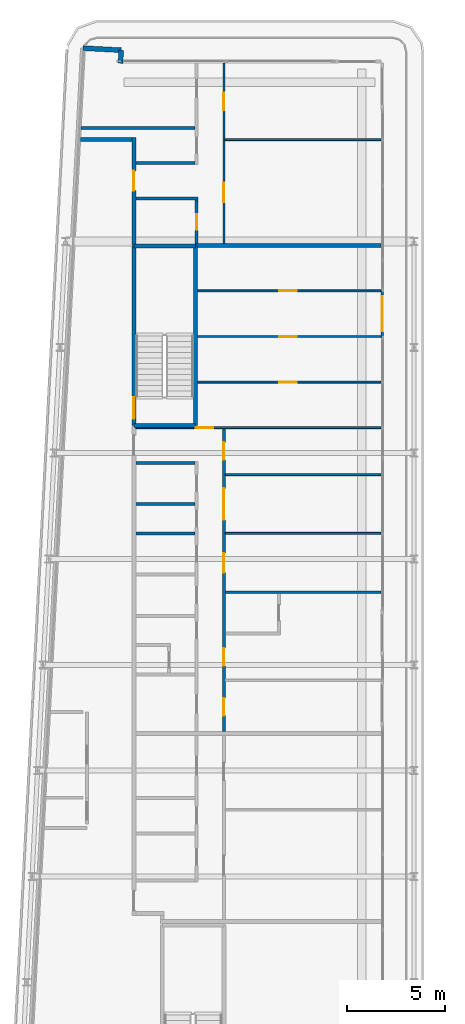
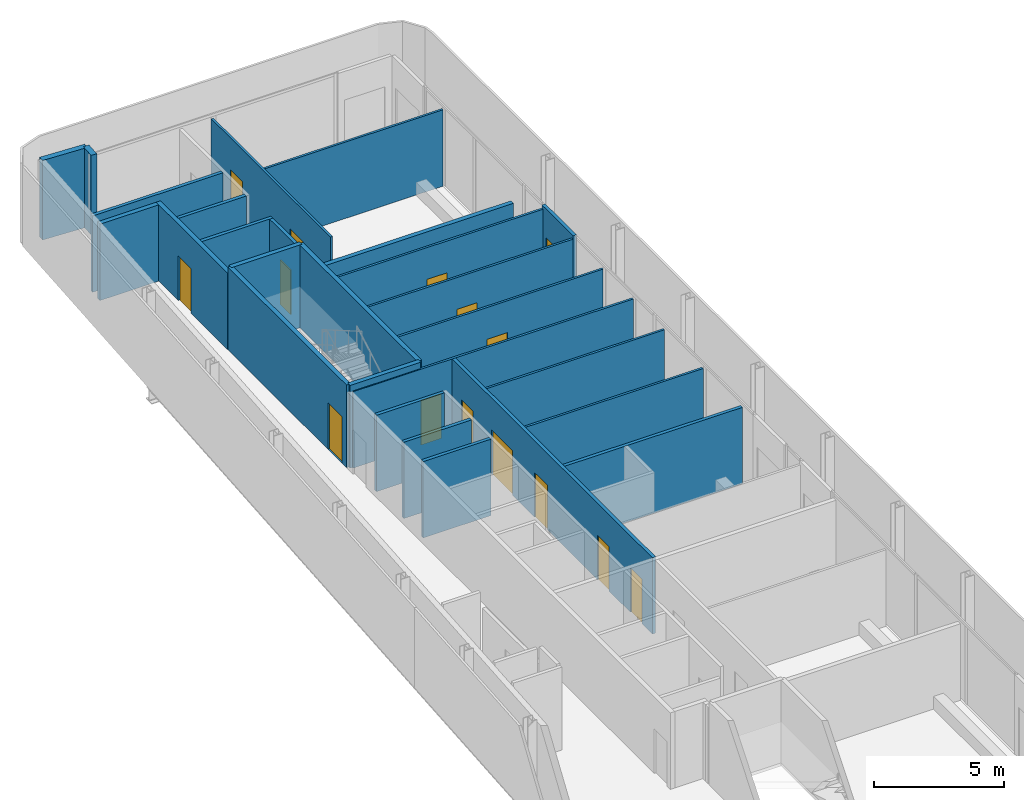
# One storey, part 14 of 22: 27 walls, 15 doors, 15 openings.
"""IFC4 building model written with IfcOpenShell, lengths in metres."""

import ifcopenshell
import ifcopenshell.guid

model = None  # the IFC model being written
_history = None  # IfcOwnerHistory: only IFC2X3 demands one
_inside = {}  # id of a spatial element -> (the spatial element, [elements in it])
_under = {}  # id of a project, library or spatial element -> (it, [spatial elements below it])
_declared = {}  # id of a project -> (the project, [libraries it declares])
_typed = {}  # id of a type object -> (the type object, [elements of that type])
_made_of = {}  # id of a material, layer set ... -> (it, [elements and type objects made of it])


def new_model(schema):
    """Start an empty IFC model of exactly this schema.

    Asked for "IFC4X3", IfcOpenShell would pick the latest addendum, in which some entities
    have other attributes; the version numbers below select the first issue.
    IFC2X3 requires an IfcOwnerHistory on every rooted entity: one is made here for all.
    """
    global model, _history
    if schema == "IFC4X3":
        model = ifcopenshell.file(schema_version=(4, 3, 0, 0))
    else:
        model = ifcopenshell.file(schema=schema)
    _inside.clear()
    _under.clear()
    _declared.clear()
    _typed.clear()
    _made_of.clear()
    _history = None
    if model.schema == "IFC2X3":
        org = make("IfcOrganization", Name="unknown")
        user = make(
            "IfcPersonAndOrganization",
            ThePerson=make("IfcPerson", FamilyName="unknown"),
            TheOrganization=org,
        )
        app = make(
            "IfcApplication",
            ApplicationDeveloper=org,
            Version="unknown",
            ApplicationFullName="unknown",
            ApplicationIdentifier="unknown",
        )
        _history = make(
            "IfcOwnerHistory",
            OwningUser=user,
            OwningApplication=app,
            ChangeAction="ADDED",
            CreationDate=0,
        )
    return model


def make(cls, **values):
    """One entity of the class cls with the attributes given. An attribute that is None is left unset."""
    return model.create_entity(
        cls, **{name: value for name, value in values.items() if value is not None}
    )


def rooted(cls, **values):
    """An entity with a GlobalId (a new one), such as an element, a storey or a relation."""
    return make(cls, GlobalId=ifcopenshell.guid.new(), OwnerHistory=_history, **values)


def si_unit(unit_type, name, prefix=None):
    """IfcSIUnit, for example si_unit("LENGTHUNIT", "METRE", prefix="MILLI")."""
    return make("IfcSIUnit", UnitType=unit_type, Prefix=prefix, Name=name)


def assignment(units):
    """IfcUnitAssignment: the units of a project."""
    return None if units is None else make("IfcUnitAssignment", Units=units)


def point(xyz):
    """IfcCartesianPoint."""
    return None if xyz is None else make("IfcCartesianPoint", Coordinates=xyz)


def direction(xyz):
    """IfcDirection."""
    return None if xyz is None else make("IfcDirection", DirectionRatios=xyz)


def frame(location, z_axis=None, x_axis=None):
    """IfcAxis2Placement3D, a coordinate frame: its origin and axes. An axis left out is left unset."""
    return make(
        "IfcAxis2Placement3D",
        Location=point(location),
        Axis=direction(z_axis),
        RefDirection=direction(x_axis),
    )


def frame_2d(location, x_axis=None):
    """IfcAxis2Placement2D, a coordinate frame in the plane: its origin and x axis."""
    return make(
        "IfcAxis2Placement2D", Location=point(location), RefDirection=direction(x_axis)
    )


def origin():
    """The frame at (0, 0, 0) with its axes left unset."""
    return frame((0.0, 0.0, 0.0))


def place(relative_to, where):
    """IfcLocalPlacement: puts the frame where relative to a parent placement (None: the world)."""
    return make(
        "IfcLocalPlacement", PlacementRelTo=relative_to, RelativePlacement=where
    )


def context(
    kind, dimensions, precision=None, world=None, true_north=None, identifier=None
):
    """IfcGeometricRepresentationContext, for example the 3D "Model" context."""
    return make(
        "IfcGeometricRepresentationContext",
        ContextIdentifier=identifier,
        ContextType=kind,
        CoordinateSpaceDimension=dimensions,
        Precision=precision,
        WorldCoordinateSystem=world,
        TrueNorth=true_north,
    )


def subcontext(parent, identifier, kind, view, scale=None):
    """IfcGeometricRepresentationSubContext, for example "Body" below "Model"."""
    return make(
        "IfcGeometricRepresentationSubContext",
        ContextIdentifier=identifier,
        ContextType=kind,
        ParentContext=parent,
        TargetScale=scale,
        TargetView=view,
    )


def project(units=None, contexts=None):
    """IfcProject with its units and contexts."""
    return rooted(
        "IfcProject",
        Name="project",
        RepresentationContexts=contexts,
        UnitsInContext=assignment(units),
    )


def spatial(cls, under=None, at=None, **own):
    """A site, building, storey or space (cls), placed at a placement, below another one or the project."""
    s = rooted(cls, ObjectPlacement=at, **own)
    if under is not None:
        _under.setdefault(under.id(), (under, []))[1].append(s)
    return s


def profile(cls, at=None, kind="AREA", **sizes):
    """A parametric profile (cls). Its sizes go by their IFC names, for example OverallWidth=200.0."""
    return make(cls, ProfileType=kind, Position=at, **sizes)


def rectangle(**sizes):
    """IfcRectangleProfileDef."""
    return profile("IfcRectangleProfileDef", **sizes)


def extrude(swept, where, along, depth):
    """IfcExtrudedAreaSolid: the profile swept, set in the frame where, extruded along a direction by depth."""
    return make(
        "IfcExtrudedAreaSolid",
        SweptArea=swept,
        Position=where,
        ExtrudedDirection=direction(along),
        Depth=depth,
    )


def shape(context_of_items, identifier, shape_type, items):
    """IfcShapeRepresentation: the items that make up one representation, for example the "Body"."""
    return make(
        "IfcShapeRepresentation",
        ContextOfItems=context_of_items,
        RepresentationIdentifier=identifier,
        RepresentationType=shape_type,
        Items=items,
    )


def source(mapping_origin, context_of_items, identifier, shape_type, items):
    """IfcRepresentationMap: a shape defined once, which mapped items show again and again."""
    return make(
        "IfcRepresentationMap",
        MappingOrigin=mapping_origin,
        MappedRepresentation=shape(context_of_items, identifier, shape_type, items),
    )


def transform(
    local_origin,
    x_axis=None,
    y_axis=None,
    z_axis=None,
    scale=None,
    scale2=None,
    scale3=None,
    uniform=True,
):
    """IfcCartesianTransformationOperator3D, or its non-uniform kind. x_axis, y_axis, z_axis: its Axis1, 2, 3."""
    if uniform:
        return make(
            "IfcCartesianTransformationOperator3D",
            Axis1=direction(x_axis),
            Axis2=direction(y_axis),
            LocalOrigin=point(local_origin),
            Scale=scale,
            Axis3=direction(z_axis),
        )
    return make(
        "IfcCartesianTransformationOperator3DnonUniform",
        Axis1=direction(x_axis),
        Axis2=direction(y_axis),
        LocalOrigin=point(local_origin),
        Scale=scale,
        Axis3=direction(z_axis),
        Scale2=scale2,
        Scale3=scale3,
    )


def mapped(mapping_source, mapping_target):
    """IfcMappedItem: shows the shape of a source again, moved by a transform."""
    return make(
        "IfcMappedItem", MappingSource=mapping_source, MappingTarget=mapping_target
    )


def material(Name=None, Category=None):
    """IfcMaterial."""
    return make("IfcMaterial", Name=Name, Category=Category)


def layer(
    of_material, thickness, ventilated=None, Name=None, Category=None, Priority=None
):
    """IfcMaterialLayer: one layer of a wall or slab, of a material (None: an air gap)."""
    return make(
        "IfcMaterialLayer",
        Material=of_material,
        LayerThickness=thickness,
        IsVentilated=ventilated,
        Name=Name,
        Category=Category,
        Priority=Priority,
    )


def layer_set(layers, Name=None):
    """IfcMaterialLayerSet."""
    return make("IfcMaterialLayerSet", MaterialLayers=layers, LayerSetName=Name)


def made_of(thing, what):
    """Note that an element or type object is made of a material, layer set ...; save() writes the relation."""
    if what is not None:
        _made_of.setdefault(what.id(), (what, []))[1].append(thing)
    return thing


def type_object(cls, material=None, **own):
    """A type object (cls), such as IfcWallType, which elements share."""
    return made_of(rooted(cls, **own), material)


def element(
    cls,
    number,
    at=None,
    inside=None,
    cuts=None,
    type_object=None,
    material=None,
    context=None,
    identifier="Body",
    shape_type=None,
    held_by="IfcProductDefinitionShape",
    body=None,
    shapes=None,
    **own,
):
    """One element of the class cls, such as IfcWall. Its Tag is "e" and its number.

    at: its placement. inside: the storey or other place that contains it. cuts: it is an
    opening in that element (IfcRelVoidsElement). A single representation is given by context,
    identifier, shape_type and body (its items); several are given by shapes. held_by: the class
    of the entity that holds the representations. save() writes the other relations.
    """
    e = rooted(cls, Tag="e%d" % number, ObjectPlacement=at, **own)
    if body is not None:
        shapes = [shape(context, identifier, shape_type, body)]
    if shapes is not None:
        e.Representation = make(held_by, Representations=shapes)
    if inside is not None:
        _inside.setdefault(inside.id(), (inside, []))[1].append(e)
    if cuts is not None:
        rooted(
            "IfcRelVoidsElement", RelatingBuildingElement=cuts, RelatedOpeningElement=e
        )
    if type_object is not None:
        _typed.setdefault(type_object.id(), (type_object, []))[1].append(e)
    return made_of(e, material)


def fill(opening, filler):
    """IfcRelFillsElement: the door or window that sits in an opening."""
    return rooted(
        "IfcRelFillsElement",
        RelatingOpeningElement=opening,
        RelatedBuildingElement=filler,
    )


def aggregate(whole, parts):
    """IfcRelAggregates: a whole, such as a stair, and the parts it consists of."""
    return rooted("IfcRelAggregates", RelatingObject=whole, RelatedObjects=parts)


def save(model, path):
    """Write the relations noted so far, then the file.

    IfcRelAggregates (storeys below a building ...), IfcRelContainedInSpatialStructure (elements
    in a storey), IfcRelDefinesByType, IfcRelAssociatesMaterial and IfcRelDeclares: one each for
    every whole, place, type object, material and project.
    """
    for whole, parts in _under.values():
        aggregate(whole, parts)
    for where, things in _inside.values():
        rooted(
            "IfcRelContainedInSpatialStructure",
            RelatedElements=things,
            RelatingStructure=where,
        )
    for kind, things in _typed.values():
        rooted("IfcRelDefinesByType", RelatedObjects=things, RelatingType=kind)
    for what, things in _made_of.values():
        rooted("IfcRelAssociatesMaterial", RelatedObjects=things, RelatingMaterial=what)
    for by, libraries in _declared.values():
        rooted("IfcRelDeclares", RelatingContext=by, RelatedDefinitions=libraries)
    model.write(path)


model = new_model("IFC4")

# Units and contexts
model_context = context("Model", 3, precision=1e-05, world=origin(), true_north=direction((0.0, 1.0)))
body_context = subcontext(model_context, "Body", "Model", "MODEL_VIEW")
ifc_project = project(units=[si_unit("LENGTHUNIT", "METRE"), si_unit("AREAUNIT", "SQUARE_METRE"), si_unit("VOLUMEUNIT", "CUBIC_METRE"), si_unit("PLANEANGLEUNIT", "RADIAN"), si_unit("MASSUNIT", "GRAM", prefix="KILO")], contexts=[model_context])

# Site, building, storey
site_placement = place(None, origin())
site = spatial("IfcSite", under=ifc_project, at=site_placement, CompositionType="ELEMENT")
building_placement = place(site_placement, origin())
building = spatial("IfcBuilding", under=site, at=building_placement, Name="Kheshtan School and Residences Tower", CompositionType="ELEMENT")
storey_placement = place(building_placement, frame((0.0, 0.0, 274.699951171875)))
storey = spatial("IfcBuildingStorey", under=building, at=storey_placement, Name="L64", CompositionType="ELEMENT", Elevation=274.699951171875)

# Wall
ifc_material_1 = material(Name="Gypsum board on steel studs with fire boards", Category="steel")
ifc_layer_1 = layer(ifc_material_1, 0.199951171875)
ifc_layer_set_1 = layer_set([ifc_layer_1], Name="Corridor wall 200")
wall_type_1 = type_object("IfcWallType", Name="Corridor wall 200", PredefinedType="PARTITIONING", material=ifc_layer_set_1)
wall_1_placement = place(storey_placement, frame((30.584716796875, 94.0, 0.0), z_axis=(0.0, 0.0, 1.0), x_axis=(1.0, 0.0, 0.0)))
element("IfcWall", 1, at=wall_1_placement, inside=storey, type_object=wall_type_1, Name="Partition L64-002", PredefinedType="PARTITIONING", context=body_context, shape_type="SweptSolid", body=[
    extrude(rectangle(XDim=2.615234375, YDim=0.199951171875, at=frame_2d((1.3076171875, 0.0))), origin(), (0.0, 0.0, 1.0), 3.60009765625),
])

# Wall, opening, door
wall_2_placement = place(storey_placement, frame((33.300048828125, 88.60009765625, 0.0), z_axis=(0.0, 0.0, 1.0), x_axis=(0.0, 1.0, 0.0)))
wall_2 = element("IfcWall", 2, at=wall_2_placement, inside=storey, type_object=wall_type_1, Name="Partition L64-004", PredefinedType="PARTITIONING", context=body_context, shape_type="SweptSolid", body=[
    extrude(rectangle(XDim=5.5, YDim=0.199951171875, at=frame_2d((2.75, 0.0))), origin(), (0.0, 0.0, 1.0), 3.60009765625),
])
opening_1_placement = place(wall_2_placement, frame((2.800048828125, 0.0, 0.0)))
opening_1 = element("IfcOpeningElement", 3, at=opening_1_placement, cuts=wall_2, Name="Opening D64-027", PredefinedType="OPENING", context=body_context, shape_type="SweptSolid", body=[
    extrude(rectangle(XDim=1.0, YDim=2.10009765625, at=frame_2d((0.5, 1.050048828125))), frame((0.0, 0.10986328125, 0.0), z_axis=(0.0, -1.0, 0.0), x_axis=(1.0, 0.0, 0.0)), (0.0, 0.0, 1.0), 0.219970703125),
])
ifc_material_2 = material(Name="Steel-framed fire-resisting door leaf", Category="steel")
door_type_1 = type_object("IfcDoorType", Name="Fire door FD30S 1000 x 2100", OperationType="SINGLE_SWING_LEFT", PredefinedType="DOOR", material=ifc_material_2)
shared_shape_1 = source(origin(), body_context, "Body", "SweptSolid", [
    extrude(rectangle(XDim=1.0, YDim=2.10009765625, at=frame_2d((0.5, 1.050048828125))), frame((0.0, 0.02490234375, 0.0), z_axis=(0.0, -1.0, 0.0), x_axis=(1.0, 0.0, 0.0)), (0.0, 0.0, 1.0), 0.050048828125),
])
door_1_placement = place(opening_1_placement, origin())
door_1 = element("IfcDoor", 4, at=door_1_placement, inside=storey, type_object=door_type_1, Name="Door D64-027", OperationType="SINGLE_SWING_LEFT", OverallHeight=2.10009765625, OverallWidth=1.0, PredefinedType="DOOR", context=body_context, shape_type="MappedRepresentation", body=[
    mapped(shared_shape_1, transform((0.0, 0.0, 0.0), x_axis=(1.0, 0.0, 0.0), y_axis=(0.0, 1.0, 0.0), z_axis=(0.0, 0.0, 1.0), scale=1.0)),
])
fill(opening_1, door_1)

# Walls
ifc_material_3 = material(Name="Concrete C40/50 with ceramic cladding and mineral wool insulation", Category="concrete")
ifc_layer_2 = layer(ifc_material_3, 0.25)
ifc_layer_set_2 = layer_set([ifc_layer_2], Name="External wall 250 ceramic clad")
wall_type_2 = type_object("IfcWallType", Name="External wall 250 ceramic clad", PredefinedType="SOLIDWALL", material=ifc_layer_set_2)
wall_3_placement = place(storey_placement, frame((30.705078125, 98.6640625, 0.0), z_axis=(0.0, 0.0, 1.0), x_axis=(0.998577785791, -0.053314216913, 0.0)))
element("IfcWall", 5, at=wall_3_placement, inside=storey, type_object=wall_type_2, Name="External wall L64 5", PredefinedType="SOLIDWALL", context=body_context, shape_type="SweptSolid", body=[
    extrude(rectangle(XDim=1.95068359375, YDim=0.25, at=frame_2d((0.975341796875, 0.0))), origin(), (0.0, 0.0, 1.0), 3.75),
])
wall_4_placement = place(storey_placement, frame((32.653076171875, 98.56005859375, 0.0), z_axis=(0.0, 0.0, 1.0), x_axis=(-0.054093451632, -0.998535877418, 0.0)))
element("IfcWall", 6, at=wall_4_placement, inside=storey, type_object=wall_type_2, Name="External wall L64 6", PredefinedType="SOLIDWALL", context=body_context, shape_type="SweptSolid", body=[
    extrude(rectangle(XDim=0.66796875, YDim=0.25, at=frame_2d((0.333984375, 0.0))), origin(), (0.0, 0.0, 1.0), 3.75),
])

# Wall, opening, door
ifc_material_4 = material(Name="Aluminium frame wall with insulated infill", Category="aluminium")
ifc_layer_3 = layer(ifc_material_4, 0.14990234375)
ifc_layer_set_3 = layer_set([ifc_layer_3], Name="Glazing frame wall 150")
wall_type_3 = type_object("IfcWallType", Name="Glazing frame wall 150", PredefinedType="SOLIDWALL", material=ifc_layer_set_3)
wall_5_placement = place(storey_placement, frame((45.97509765625, 86.305908203125, 0.0), z_axis=(0.0, 0.0, 1.0), x_axis=(0.0, -1.0, 0.0)))
wall_5 = element("IfcWall", 7, at=wall_5_placement, inside=storey, type_object=wall_type_3, Name="Balcony door wall L64 8.2", PredefinedType="SOLIDWALL", context=body_context, shape_type="SweptSolid", body=[
    extrude(rectangle(XDim=2.39990234375, YDim=0.14990234375, at=frame_2d((1.199951171875, 0.0))), origin(), (0.0, 0.0, 1.0), 3.75),
])
opening_2_placement = place(wall_5_placement, frame((0.300048828125, 0.0, 0.0)))
opening_2 = element("IfcOpeningElement", 8, at=opening_2_placement, cuts=wall_5, Name="Opening BD", PredefinedType="OPENING", context=body_context, shape_type="SweptSolid", body=[
    extrude(rectangle(XDim=1.800048828125, YDim=2.39990234375, at=frame_2d((0.89990234375, 1.199951171875))), frame((0.0, 0.0849609375, 0.0), z_axis=(0.0, -1.0, 0.0), x_axis=(1.0, 0.0, 0.0)), (0.0, 0.0, 1.0), 0.169921875),
])
ifc_material_5 = material(Name="Clear low-e glass in thermally broken aluminium frame", Category="aluminium")
door_type_2 = type_object("IfcDoorType", Name="Balcony sliding door", OperationType="SLIDING_TO_LEFT", PredefinedType="DOOR", material=ifc_material_5)
shared_shape_2 = source(origin(), body_context, "Body", "SweptSolid", [
    extrude(rectangle(XDim=1.800048828125, YDim=2.39990234375, at=frame_2d((0.89990234375, 1.199951171875))), frame((0.0, 0.02490234375, 0.0), z_axis=(0.0, -1.0, 0.0), x_axis=(1.0, 0.0, 0.0)), (0.0, 0.0, 1.0), 0.050048828125),
])
door_2_placement = place(opening_2_placement, origin())
door_2 = element("IfcDoor", 9, at=door_2_placement, inside=storey, type_object=door_type_2, Name="Balcony door L64 8.2", OperationType="SLIDING_TO_LEFT", OverallHeight=2.39990234375, OverallWidth=1.800048828125, PredefinedType="DOOR", context=body_context, shape_type="MappedRepresentation", body=[
    mapped(shared_shape_2, transform((0.0, 0.0, 0.0), x_axis=(1.0, 0.0, 0.0), y_axis=(0.0, 1.0, 0.0), z_axis=(0.0, 0.0, 1.0), scale=1.0)),
])
fill(opening_2, door_2)

ifc_material_6 = material(Name="Gypsum board on steel studs", Category="steel")
ifc_layer_4 = layer(ifc_material_6, 0.10009765625)
ifc_layer_set_4 = layer_set([ifc_layer_4], Name="Gypsum partition 100")
wall_type_4 = type_object("IfcWallType", Name="Gypsum partition 100", PredefinedType="PARTITIONING", material=ifc_layer_set_4)
wall_6_placement = place(storey_placement, frame((33.39990234375, 79.300048828125, 0.0), z_axis=(0.0, 0.0, 1.0), x_axis=(1.0, 0.0, 0.0)))
wall_6 = element("IfcWall", 10, at=wall_6_placement, inside=storey, type_object=wall_type_4, Name="Partition L64-017", PredefinedType="PARTITIONING", context=body_context, shape_type="SweptSolid", body=[
    extrude(rectangle(XDim=12.5, YDim=0.10009765625, at=frame_2d((6.25, 0.0))), origin(), (0.0, 0.0, 1.0), 3.60009765625),
])
opening_3_placement = place(wall_6_placement, frame((3.052978515625, 0.0, 0.0)))
opening_3 = element("IfcOpeningElement", 11, at=opening_3_placement, cuts=wall_6, Name="Opening D64-021", PredefinedType="OPENING", context=body_context, shape_type="SweptSolid", body=[
    extrude(rectangle(XDim=0.89990234375, YDim=2.10009765625, at=frame_2d((0.449951171875, 1.050048828125))), frame((0.0, 0.06005859375, 0.0), z_axis=(0.0, -1.0, 0.0), x_axis=(1.0, 0.0, 0.0)), (0.0, 0.0, 1.0), 0.1201171875),
])
ifc_material_7 = material(Name="Veneered timber door leaf", Category="wood")
door_type_3 = type_object("IfcDoorType", Name="Door 900 x 2100", OperationType="SINGLE_SWING_LEFT", PredefinedType="DOOR", material=ifc_material_7)
shared_shape_3 = source(origin(), body_context, "Body", "SweptSolid", [
    extrude(rectangle(XDim=0.89990234375, YDim=2.10009765625, at=frame_2d((0.449951171875, 1.050048828125))), frame((0.0, 0.02490234375, 0.0), z_axis=(0.0, -1.0, 0.0), x_axis=(1.0, 0.0, 0.0)), (0.0, 0.0, 1.0), 0.050048828125),
])
door_3_placement = place(opening_3_placement, origin())
door_3 = element("IfcDoor", 12, at=door_3_placement, inside=storey, type_object=door_type_3, Name="Door D64-021", OperationType="SINGLE_SWING_LEFT", OverallHeight=2.10009765625, OverallWidth=0.89990234375, PredefinedType="DOOR", context=body_context, shape_type="MappedRepresentation", body=[
    mapped(shared_shape_3, transform((0.0, 0.0, 0.0), x_axis=(1.0, 0.0, 0.0), y_axis=(0.0, 1.0, 0.0), z_axis=(0.0, 0.0, 1.0), scale=1.0)),
])
fill(opening_3, door_3)

wall_7_placement = place(storey_placement, frame((36.549072265625, 81.625, 0.0), z_axis=(0.0, 0.0, 1.0), x_axis=(1.0, 0.0, 0.0)))
wall_7 = element("IfcWall", 13, at=wall_7_placement, inside=storey, type_object=wall_type_4, Name="Partition L64-028", PredefinedType="PARTITIONING", context=body_context, shape_type="SweptSolid", body=[
    extrude(rectangle(XDim=9.350830078125, YDim=0.10009765625, at=frame_2d((4.67529296875, 0.0))), origin(), (0.0, 0.0, 1.0), 3.60009765625),
])
opening_4_placement = place(wall_7_placement, frame((4.176025390625, 0.0, 0.0)))
opening_4 = element("IfcOpeningElement", 14, at=opening_4_placement, cuts=wall_7, Name="Opening D64-022", PredefinedType="OPENING", context=body_context, shape_type="SweptSolid", body=[
    extrude(rectangle(XDim=0.89990234375, YDim=2.10009765625, at=frame_2d((0.449951171875, 1.050048828125))), frame((0.0, 0.06005859375, 0.0), z_axis=(0.0, -1.0, 0.0), x_axis=(1.0, 0.0, 0.0)), (0.0, 0.0, 1.0), 0.1201171875),
])
door_4_placement = place(opening_4_placement, origin())
door_4 = element("IfcDoor", 15, at=door_4_placement, inside=storey, type_object=door_type_3, Name="Door D64-022", OperationType="SINGLE_SWING_RIGHT", OverallHeight=2.10009765625, OverallWidth=0.89990234375, PredefinedType="DOOR", context=body_context, shape_type="MappedRepresentation", body=[
    mapped(shared_shape_3, transform((0.0, 0.0, 0.0), x_axis=(1.0, 0.0, 0.0), y_axis=(0.0, 1.0, 0.0), z_axis=(0.0, 0.0, 1.0), scale=1.0)),
])
fill(opening_4, door_4)

wall_8_placement = place(storey_placement, frame((36.549072265625, 83.949951171875, 0.0), z_axis=(0.0, 0.0, 1.0), x_axis=(1.0, 0.0, 0.0)))
wall_8 = element("IfcWall", 16, at=wall_8_placement, inside=storey, type_object=wall_type_4, Name="Partition L64-029", PredefinedType="PARTITIONING", context=body_context, shape_type="SweptSolid", body=[
    extrude(rectangle(XDim=9.350830078125, YDim=0.10009765625, at=frame_2d((4.67529296875, 0.0))), origin(), (0.0, 0.0, 1.0), 3.60009765625),
])
opening_5_placement = place(wall_8_placement, frame((4.176025390625, 0.0, 0.0)))
opening_5 = element("IfcOpeningElement", 17, at=opening_5_placement, cuts=wall_8, Name="Opening D64-023", PredefinedType="OPENING", context=body_context, shape_type="SweptSolid", body=[
    extrude(rectangle(XDim=0.89990234375, YDim=2.10009765625, at=frame_2d((0.449951171875, 1.050048828125))), frame((0.0, 0.06005859375, 0.0), z_axis=(0.0, -1.0, 0.0), x_axis=(1.0, 0.0, 0.0)), (0.0, 0.0, 1.0), 0.1201171875),
])
door_5_placement = place(opening_5_placement, origin())
door_5 = element("IfcDoor", 18, at=door_5_placement, inside=storey, type_object=door_type_3, Name="Door D64-023", OperationType="SINGLE_SWING_RIGHT", OverallHeight=2.10009765625, OverallWidth=0.89990234375, PredefinedType="DOOR", context=body_context, shape_type="MappedRepresentation", body=[
    mapped(shared_shape_3, transform((0.0, 0.0, 0.0), x_axis=(1.0, 0.0, 0.0), y_axis=(0.0, 1.0, 0.0), z_axis=(0.0, 0.0, 1.0), scale=1.0)),
])
fill(opening_5, door_5)

wall_9_placement = place(storey_placement, frame((36.549072265625, 86.27490234375, 0.0), z_axis=(0.0, 0.0, 1.0), x_axis=(1.0, 0.0, 0.0)))
wall_9 = element("IfcWall", 19, at=wall_9_placement, inside=storey, type_object=wall_type_4, Name="Partition L64-030", PredefinedType="PARTITIONING", context=body_context, shape_type="SweptSolid", body=[
    extrude(rectangle(XDim=9.350830078125, YDim=0.10009765625, at=frame_2d((4.67529296875, 0.0))), origin(), (0.0, 0.0, 1.0), 3.60009765625),
])
opening_6_placement = place(wall_9_placement, frame((4.176025390625, 0.0, 0.0)))
opening_6 = element("IfcOpeningElement", 20, at=opening_6_placement, cuts=wall_9, Name="Opening D64-024", PredefinedType="OPENING", context=body_context, shape_type="SweptSolid", body=[
    extrude(rectangle(XDim=0.89990234375, YDim=2.10009765625, at=frame_2d((0.449951171875, 1.050048828125))), frame((0.0, 0.06005859375, 0.0), z_axis=(0.0, -1.0, 0.0), x_axis=(1.0, 0.0, 0.0)), (0.0, 0.0, 1.0), 0.1201171875),
])
door_6_placement = place(opening_6_placement, origin())
door_6 = element("IfcDoor", 21, at=door_6_placement, inside=storey, type_object=door_type_3, Name="Door D64-024", OperationType="SINGLE_SWING_RIGHT", OverallHeight=2.10009765625, OverallWidth=0.89990234375, PredefinedType="DOOR", context=body_context, shape_type="MappedRepresentation", body=[
    mapped(shared_shape_3, transform((0.0, 0.0, 0.0), x_axis=(1.0, 0.0, 0.0), y_axis=(0.0, 1.0, 0.0), z_axis=(0.0, 0.0, 1.0), scale=1.0)),
])
fill(opening_6, door_6)

# Wall, openings, doors
wall_10_placement = place(storey_placement, frame((37.89990234375, 88.699951171875, 0.0), z_axis=(0.0, 0.0, 1.0), x_axis=(0.0, 1.0, 0.0)))
wall_10 = element("IfcWall", 22, at=wall_10_placement, inside=storey, type_object=wall_type_4, Name="Partition L64-033", PredefinedType="PARTITIONING", context=body_context, shape_type="SweptSolid", body=[
    extrude(rectangle(XDim=9.199951171875, YDim=0.10009765625, at=frame_2d((4.60009765625, 0.0))), origin(), (0.0, 0.0, 1.0), 3.60009765625),
])
opening_7_placement = place(wall_10_placement, frame((6.800048828125, 0.0, 0.0)))
opening_7 = element("IfcOpeningElement", 23, at=opening_7_placement, cuts=wall_10, Name="Opening D64-026", PredefinedType="OPENING", context=body_context, shape_type="SweptSolid", body=[
    extrude(rectangle(XDim=0.89990234375, YDim=2.10009765625, at=frame_2d((0.449951171875, 1.050048828125))), frame((0.0, 0.06005859375, 0.0), z_axis=(0.0, -1.0, 0.0), x_axis=(1.0, 0.0, 0.0)), (0.0, 0.0, 1.0), 0.1201171875),
])
opening_8_placement = place(wall_10_placement, frame((2.10009765625, 0.0, 0.0)))
opening_8 = element("IfcOpeningElement", 24, at=opening_8_placement, cuts=wall_10, Name="Opening D64-029", PredefinedType="OPENING", context=body_context, shape_type="SweptSolid", body=[
    extrude(rectangle(XDim=1.0, YDim=2.10009765625, at=frame_2d((0.5, 1.050048828125))), frame((0.0, 0.06005859375, 0.0), z_axis=(0.0, -1.0, 0.0), x_axis=(1.0, 0.0, 0.0)), (0.0, 0.0, 1.0), 0.1201171875),
])
door_type_4 = type_object("IfcDoorType", Name="Door 1000 x 2100", OperationType="SINGLE_SWING_LEFT", PredefinedType="DOOR", material=ifc_material_7)
shared_shape_4 = source(origin(), body_context, "Body", "SweptSolid", [
    extrude(rectangle(XDim=1.0, YDim=2.10009765625, at=frame_2d((0.5, 1.050048828125))), frame((0.0, 0.02490234375, 0.0), z_axis=(0.0, -1.0, 0.0), x_axis=(1.0, 0.0, 0.0)), (0.0, 0.0, 1.0), 0.050048828125),
])
door_7_placement = place(opening_8_placement, origin())
door_7 = element("IfcDoor", 25, at=door_7_placement, inside=storey, type_object=door_type_4, Name="Door D64-029", OperationType="SINGLE_SWING_LEFT", OverallHeight=2.10009765625, OverallWidth=1.0, PredefinedType="DOOR", context=body_context, shape_type="MappedRepresentation", body=[
    mapped(shared_shape_4, transform((0.0, 0.0, 0.0), x_axis=(1.0, 0.0, 0.0), y_axis=(0.0, 1.0, 0.0), z_axis=(0.0, 0.0, 1.0), scale=1.0)),
])
fill(opening_8, door_7)
door_8_placement = place(opening_7_placement, origin())
door_8 = element("IfcDoor", 26, at=door_8_placement, inside=storey, type_object=door_type_3, Name="Door D64-026", OperationType="SINGLE_SWING_RIGHT", OverallHeight=2.10009765625, OverallWidth=0.89990234375, PredefinedType="DOOR", context=body_context, shape_type="MappedRepresentation", body=[
    mapped(shared_shape_3, transform((0.0, 0.0, 0.0), x_axis=(1.0, 0.0, 0.0), y_axis=(0.0, 1.0, 0.0), z_axis=(0.0, 0.0, 1.0), scale=1.0)),
])
fill(opening_7, door_8)

# Walls
wall_11_placement = place(storey_placement, frame((37.949951171875, 94.0, 0.0), z_axis=(0.0, 0.0, 1.0), x_axis=(1.0, 0.0, 0.0)))
element("IfcWall", 27, at=wall_11_placement, inside=storey, type_object=wall_type_4, Name="Partition L64-034", PredefinedType="PARTITIONING", context=body_context, shape_type="SweptSolid", body=[
    extrude(rectangle(XDim=7.949951171875, YDim=0.10009765625, at=frame_2d((3.97509765625, 0.0))), origin(), (0.0, 0.0, 1.0), 3.60009765625),
])
for number, where, z_axis, x_axis, name in (
    (28, (37.97509765625, 73.89990234375, 0.0), (0.0, 0.0, 1.0), (1.0, 0.0, 0.0), "Partition L64-039"),
    (29, (37.97509765625, 76.89990234375, 0.0), (0.0, 0.0, 1.0), (1.0, 0.0, 0.0), "Partition L64-040"),
):
    element("IfcWall", number, at=place(storey_placement, frame(where, z_axis=z_axis, x_axis=x_axis)), inside=storey, type_object=wall_type_4, Name=name, PredefinedType="PARTITIONING", context=body_context, shape_type="SweptSolid", body=[
        extrude(rectangle(XDim=7.9248046875, YDim=0.10009765625, at=frame_2d((3.96240234375, 0.0))), origin(), (0.0, 0.0, 1.0), 3.60009765625),
    ])
ifc_material_8 = material(Name="Concrete C40/50", Category="concrete")
ifc_layer_5 = layer(ifc_material_8, 0.199951171875)
ifc_layer_set_5 = layer_set([ifc_layer_5], Name="Stair enclosure wall 200 Concrete C40/50")
wall_type_5 = type_object("IfcWallType", Name="Stair enclosure wall 200 Concrete C40/50", PredefinedType="SHEAR", material=ifc_layer_set_5)
for number, where, z_axis, x_axis, name in (
    (30, (33.300048828125, 79.39990234375, 0.0), (0.0, 0.0, 1.0), (1.0, 0.0, 0.0), "Stair enclosure wall ST3"),
    (31, (33.300048828125, 88.56005859375, 0.0), (0.0, 0.0, 1.0), (1.0, 0.0, 0.0), "Stair enclosure wall ST3"),
):
    element("IfcWall", number, at=place(storey_placement, frame(where, z_axis=z_axis, x_axis=x_axis)), inside=storey, type_object=wall_type_5, Name=name, PredefinedType="SHEAR", context=body_context, shape_type="SweptSolid", body=[
        extrude(rectangle(XDim=3.14990234375, YDim=0.199951171875, at=frame_2d((1.574951171875, 0.0))), origin(), (0.0, 0.0, 1.0), 3.900146484375),
    ])

# Wall, opening, door
wall_12_placement = place(storey_placement, frame((33.300048828125, 79.39990234375, 0.0), z_axis=(0.0, 0.0, 1.0), x_axis=(0.0, 1.0, 0.0)))
wall_12 = element("IfcWall", 32, at=wall_12_placement, inside=storey, type_object=wall_type_5, Name="Stair enclosure wall ST3", PredefinedType="SHEAR", context=body_context, shape_type="SweptSolid", body=[
    extrude(rectangle(XDim=9.16015625, YDim=0.199951171875, at=frame_2d((4.580078125, 0.0))), origin(), (0.0, 0.0, 1.0), 3.900146484375),
])
opening_9_placement = place(wall_12_placement, frame((0.35009765625, 0.0, 0.0)))
opening_9 = element("IfcOpeningElement", 33, at=opening_9_placement, cuts=wall_12, Name="Opening ST3D", PredefinedType="OPENING", context=body_context, shape_type="SweptSolid", body=[
    extrude(rectangle(XDim=1.10009765625, YDim=2.199951171875, at=frame_2d((0.550048828125, 1.10009765625))), frame((0.0, 0.10986328125, 0.0), z_axis=(0.0, -1.0, 0.0), x_axis=(1.0, 0.0, 0.0)), (0.0, 0.0, 1.0), 0.219970703125),
])
ifc_material_9 = material(Name="Steel door leaf, galvanised", Category="steel")
door_type_5 = type_object("IfcDoorType", Name="Stair door 1100 steel 90 min", OperationType="SINGLE_SWING_LEFT", PredefinedType="DOOR", material=ifc_material_9)
shared_shape_5 = source(origin(), body_context, "Body", "SweptSolid", [
    extrude(rectangle(XDim=1.10009765625, YDim=2.199951171875, at=frame_2d((0.550048828125, 1.10009765625))), frame((0.0, 0.02490234375, 0.0), z_axis=(0.0, -1.0, 0.0), x_axis=(1.0, 0.0, 0.0)), (0.0, 0.0, 1.0), 0.050048828125),
])
door_9_placement = place(opening_9_placement, origin())
door_9 = element("IfcDoor", 34, at=door_9_placement, inside=storey, type_object=door_type_5, Name="Stair ST3 door", OperationType="SINGLE_SWING_RIGHT", OverallHeight=2.199951171875, OverallWidth=1.10009765625, PredefinedType="DOOR", context=body_context, shape_type="MappedRepresentation", body=[
    mapped(shared_shape_5, transform((0.0, 0.0, 0.0), x_axis=(1.0, 0.0, 0.0), y_axis=(0.0, 1.0, 0.0), z_axis=(0.0, 0.0, 1.0), scale=1.0)),
])
fill(opening_9, door_9)

# Walls
wall_13_placement = place(storey_placement, frame((36.449951171875, 79.39990234375, 0.0), z_axis=(0.0, 0.0, 1.0), x_axis=(0.0, 1.0, 0.0)))
element("IfcWall", 35, at=wall_13_placement, inside=storey, type_object=wall_type_5, Name="Stair enclosure wall ST3", PredefinedType="SHEAR", context=body_context, shape_type="SweptSolid", body=[
    extrude(rectangle(XDim=9.16015625, YDim=0.199951171875, at=frame_2d((4.580078125, 0.0))), origin(), (0.0, 0.0, 1.0), 3.900146484375),
])
ifc_material_10 = material(Name="Twin gypsum board on steel studs with mineral wool", Category="steel")
ifc_layer_6 = layer(ifc_material_10, 0.199951171875)
ifc_layer_set_6 = layer_set([ifc_layer_6], Name="Unit demising wall 200")
wall_type_6 = type_object("IfcWallType", Name="Unit demising wall 200", PredefinedType="PARTITIONING", material=ifc_layer_set_6)
wall_14_placement = place(storey_placement, frame((36.425048828125, 88.60009765625, 0.0), z_axis=(0.0, 0.0, 1.0), x_axis=(1.0, 0.0, 0.0)))
element("IfcWall", 36, at=wall_14_placement, inside=storey, type_object=wall_type_6, Name="Partition L64-023", PredefinedType="PARTITIONING", context=body_context, shape_type="SweptSolid", body=[
    extrude(rectangle(XDim=9.474853515625, YDim=0.199951171875, at=frame_2d((4.7373046875, 0.0))), origin(), (0.0, 0.0, 1.0), 2.5),
])
ifc_material_11 = material(Name="Moisture-resistant gypsum board on steel studs", Category="steel")
ifc_layer_7 = layer(ifc_material_11, 0.14990234375)
ifc_layer_set_7 = layer_set([ifc_layer_7], Name="Wet-room partition 150")
wall_type_7 = type_object("IfcWallType", Name="Wet-room partition 150", PredefinedType="PARTITIONING", material=ifc_layer_set_7)
wall_15_placement = place(storey_placement, frame((30.616943359375, 94.60009765625, 0.0), z_axis=(0.0, 0.0, 1.0), x_axis=(1.0, 0.0, 0.0)))
element("IfcWall", 37, at=wall_15_placement, inside=storey, type_object=wall_type_7, Name="Partition L64-001", PredefinedType="PARTITIONING", context=body_context, shape_type="SweptSolid", body=[
    extrude(rectangle(XDim=5.80810546875, YDim=0.14990234375, at=frame_2d((2.904052734375, 0.0))), origin(), (0.0, 0.0, 1.0), 3.60009765625),
])
for number, where, z_axis, x_axis, name in (
    (38, (33.39990234375, 73.89990234375, 0.0), (0.0, 0.0, 1.0), (1.0, 0.0, 0.0), "Partition L64-014"),
    (39, (33.39990234375, 75.39990234375, 0.0), (0.0, 0.0, 1.0), (1.0, 0.0, 0.0), "Partition L64-015"),
    (40, (33.39990234375, 77.5, 0.0), (0.0, 0.0, 1.0), (1.0, 0.0, 0.0), "Partition L64-016"),
):
    element("IfcWall", number, at=place(storey_placement, frame(where, z_axis=z_axis, x_axis=x_axis)), inside=storey, type_object=wall_type_7, Name=name, PredefinedType="PARTITIONING", context=body_context, shape_type="SweptSolid", body=[
        extrude(rectangle(XDim=3.025146484375, YDim=0.14990234375, at=frame_2d((1.5126953125, 0.0))), origin(), (0.0, 0.0, 1.0), 3.60009765625),
    ])
wall_16_placement = place(storey_placement, frame((33.39990234375, 91.0, 0.0), z_axis=(0.0, 0.0, 1.0), x_axis=(1.0, 0.0, 0.0)))
element("IfcWall", 41, at=wall_16_placement, inside=storey, type_object=wall_type_7, Name="Partition L64-018", PredefinedType="PARTITIONING", context=body_context, shape_type="SweptSolid", body=[
    extrude(rectangle(XDim=3.175048828125, YDim=0.14990234375, at=frame_2d((1.58740234375, 0.0))), origin(), (0.0, 0.0, 1.0), 3.60009765625),
])
wall_17_placement = place(storey_placement, frame((33.39990234375, 92.800048828125, 0.0), z_axis=(0.0, 0.0, 1.0), x_axis=(1.0, 0.0, 0.0)))
element("IfcWall", 42, at=wall_17_placement, inside=storey, type_object=wall_type_7, Name="Partition L64-019", PredefinedType="PARTITIONING", context=body_context, shape_type="SweptSolid", body=[
    extrude(rectangle(XDim=3.025146484375, YDim=0.14990234375, at=frame_2d((1.5126953125, 0.0))), origin(), (0.0, 0.0, 1.0), 3.60009765625),
])

# Wall, opening, door
wall_18_placement = place(storey_placement, frame((36.5, 88.699951171875, 0.0), z_axis=(0.0, 0.0, 1.0), x_axis=(0.0, 1.0, 0.0)))
wall_18 = element("IfcWall", 43, at=wall_18_placement, inside=storey, type_object=wall_type_7, Name="Partition L64-026", PredefinedType="PARTITIONING", context=body_context, shape_type="SweptSolid", body=[
    extrude(rectangle(XDim=2.22509765625, YDim=0.14990234375, at=frame_2d((1.112548828125, 0.0))), origin(), (0.0, 0.0, 1.0), 3.60009765625),
])
opening_10_placement = place(wall_18_placement, frame((0.699951171875, 0.0, 0.0)))
opening_10 = element("IfcOpeningElement", 44, at=opening_10_placement, cuts=wall_18, Name="Opening D64-025", PredefinedType="OPENING", context=body_context, shape_type="SweptSolid", body=[
    extrude(rectangle(XDim=0.800048828125, YDim=2.10009765625, at=frame_2d((0.39990234375, 1.050048828125))), frame((0.0, 0.0849609375, 0.0), z_axis=(0.0, -1.0, 0.0), x_axis=(1.0, 0.0, 0.0)), (0.0, 0.0, 1.0), 0.169921875),
])
door_type_6 = type_object("IfcDoorType", Name="Door 800 x 2100", OperationType="SINGLE_SWING_LEFT", PredefinedType="DOOR", material=ifc_material_7)
shared_shape_6 = source(origin(), body_context, "Body", "SweptSolid", [
    extrude(rectangle(XDim=0.800048828125, YDim=2.10009765625, at=frame_2d((0.39990234375, 1.050048828125))), frame((0.0, 0.02490234375, 0.0), z_axis=(0.0, -1.0, 0.0), x_axis=(1.0, 0.0, 0.0)), (0.0, 0.0, 1.0), 0.050048828125),
])
door_10_placement = place(opening_10_placement, origin())
door_10 = element("IfcDoor", 45, at=door_10_placement, inside=storey, type_object=door_type_6, Name="Door D64-025", OperationType="SINGLE_SWING_LEFT", OverallHeight=2.10009765625, OverallWidth=0.800048828125, PredefinedType="DOOR", context=body_context, shape_type="MappedRepresentation", body=[
    mapped(shared_shape_6, transform((0.0, 0.0, 0.0), x_axis=(1.0, 0.0, 0.0), y_axis=(0.0, 1.0, 0.0), z_axis=(0.0, 0.0, 1.0), scale=1.0)),
])
fill(opening_10, door_10)

# Wall, openings, doors
wall_19_placement = place(storey_placement, frame((37.89990234375, 63.800048828125, 0.0), z_axis=(0.0, 0.0, 1.0), x_axis=(0.0, 1.0, 0.0)))
wall_19 = element("IfcWall", 46, at=wall_19_placement, inside=storey, type_object=wall_type_7, Name="Partition L64-032", PredefinedType="PARTITIONING", context=body_context, shape_type="SweptSolid", body=[
    extrude(rectangle(XDim=15.449951171875, YDim=0.14990234375, at=frame_2d((7.72509765625, 0.0))), origin(), (0.0, 0.0, 1.0), 3.60009765625),
])
opening_11_placement = place(wall_19_placement, frame((0.800048828125, 0.0, 0.0)))
opening_11 = element("IfcOpeningElement", 47, at=opening_11_placement, cuts=wall_19, Name="Opening D64-009", PredefinedType="OPENING", context=body_context, shape_type="SweptSolid", body=[
    extrude(rectangle(XDim=0.89990234375, YDim=2.10009765625, at=frame_2d((0.449951171875, 1.050048828125))), frame((0.0, 0.0849609375, 0.0), z_axis=(0.0, -1.0, 0.0), x_axis=(1.0, 0.0, 0.0)), (0.0, 0.0, 1.0), 0.169921875),
])
opening_12_placement = place(wall_19_placement, frame((13.85009765625, 0.0, 0.0)))
opening_12 = element("IfcOpeningElement", 48, at=opening_12_placement, cuts=wall_19, Name="Opening D64-010", PredefinedType="OPENING", context=body_context, shape_type="SweptSolid", body=[
    extrude(rectangle(XDim=0.89990234375, YDim=2.10009765625, at=frame_2d((0.449951171875, 1.050048828125))), frame((0.0, 0.0849609375, 0.0), z_axis=(0.0, -1.0, 0.0), x_axis=(1.0, 0.0, 0.0)), (0.0, 0.0, 1.0), 0.169921875),
])
opening_13_placement = place(wall_19_placement, frame((8.10009765625, 0.0, 0.0)))
opening_13 = element("IfcOpeningElement", 49, at=opening_13_placement, cuts=wall_19, Name="Opening D64-015", PredefinedType="OPENING", context=body_context, shape_type="SweptSolid", body=[
    extrude(rectangle(XDim=1.0, YDim=2.10009765625, at=frame_2d((0.5, 1.050048828125))), frame((0.0, 0.0849609375, 0.0), z_axis=(0.0, -1.0, 0.0), x_axis=(1.0, 0.0, 0.0)), (0.0, 0.0, 1.0), 0.169921875),
])
opening_14_placement = place(wall_19_placement, frame((10.800048828125, 0.0, 0.0)))
opening_14 = element("IfcOpeningElement", 50, at=opening_14_placement, cuts=wall_19, Name="Opening D64-018", PredefinedType="OPENING", context=body_context, shape_type="SweptSolid", body=[
    extrude(rectangle(XDim=1.60009765625, YDim=2.10009765625, at=frame_2d((0.800048828125, 1.050048828125))), frame((0.0, 0.0849609375, 0.0), z_axis=(0.0, -1.0, 0.0), x_axis=(1.0, 0.0, 0.0)), (0.0, 0.0, 1.0), 0.169921875),
])
opening_15_placement = place(wall_19_placement, frame((3.35009765625, 0.0, 0.0)))
opening_15 = element("IfcOpeningElement", 51, at=opening_15_placement, cuts=wall_19, Name="Opening D64-019", PredefinedType="OPENING", context=body_context, shape_type="SweptSolid", body=[
    extrude(rectangle(XDim=0.89990234375, YDim=2.10009765625, at=frame_2d((0.449951171875, 1.050048828125))), frame((0.0, 0.0849609375, 0.0), z_axis=(0.0, -1.0, 0.0), x_axis=(1.0, 0.0, 0.0)), (0.0, 0.0, 1.0), 0.169921875),
])
door_11_placement = place(opening_13_placement, origin())
door_11 = element("IfcDoor", 52, at=door_11_placement, inside=storey, type_object=door_type_4, Name="Door D64-015", OperationType="SINGLE_SWING_RIGHT", OverallHeight=2.10009765625, OverallWidth=1.0, PredefinedType="DOOR", context=body_context, shape_type="MappedRepresentation", body=[
    mapped(shared_shape_4, transform((0.0, 0.0, 0.0), x_axis=(1.0, 0.0, 0.0), y_axis=(0.0, 1.0, 0.0), z_axis=(0.0, 0.0, 1.0), scale=1.0)),
])
fill(opening_13, door_11)
door_12_placement = place(opening_11_placement, origin())
door_12 = element("IfcDoor", 53, at=door_12_placement, inside=storey, type_object=door_type_3, Name="Door D64-009", OperationType="SINGLE_SWING_RIGHT", OverallHeight=2.10009765625, OverallWidth=0.89990234375, PredefinedType="DOOR", context=body_context, shape_type="MappedRepresentation", body=[
    mapped(shared_shape_3, transform((0.0, 0.0, 0.0), x_axis=(1.0, 0.0, 0.0), y_axis=(0.0, 1.0, 0.0), z_axis=(0.0, 0.0, 1.0), scale=1.0)),
])
fill(opening_11, door_12)
door_13_placement = place(opening_12_placement, origin())
door_13 = element("IfcDoor", 54, at=door_13_placement, inside=storey, type_object=door_type_3, Name="Door D64-010", OperationType="SINGLE_SWING_LEFT", OverallHeight=2.10009765625, OverallWidth=0.89990234375, PredefinedType="DOOR", context=body_context, shape_type="MappedRepresentation", body=[
    mapped(shared_shape_3, transform((0.0, 0.0, 0.0), x_axis=(1.0, 0.0, 0.0), y_axis=(0.0, 1.0, 0.0), z_axis=(0.0, 0.0, 1.0), scale=1.0)),
])
fill(opening_12, door_13)
door_14_placement = place(opening_15_placement, origin())
door_14 = element("IfcDoor", 55, at=door_14_placement, inside=storey, type_object=door_type_3, Name="Door D64-019", OperationType="SINGLE_SWING_RIGHT", OverallHeight=2.10009765625, OverallWidth=0.89990234375, PredefinedType="DOOR", context=body_context, shape_type="MappedRepresentation", body=[
    mapped(shared_shape_3, transform((0.0, 0.0, 0.0), x_axis=(1.0, 0.0, 0.0), y_axis=(0.0, 1.0, 0.0), z_axis=(0.0, 0.0, 1.0), scale=1.0)),
])
fill(opening_15, door_14)
door_type_7 = type_object("IfcDoorType", Name="Double door 1600 x 2100", OperationType="DOUBLE_DOOR_SINGLE_SWING", PredefinedType="DOOR", material=ifc_material_7)
shared_shape_7 = source(origin(), body_context, "Body", "SweptSolid", [
    extrude(rectangle(XDim=1.60009765625, YDim=2.10009765625, at=frame_2d((0.800048828125, 1.050048828125))), frame((0.0, 0.02490234375, 0.0), z_axis=(0.0, -1.0, 0.0), x_axis=(1.0, 0.0, 0.0)), (0.0, 0.0, 1.0), 0.050048828125),
])
door_15_placement = place(opening_14_placement, origin())
door_15 = element("IfcDoor", 56, at=door_15_placement, inside=storey, type_object=door_type_7, Name="Door D64-018", OperationType="DOUBLE_DOOR_SINGLE_SWING", OverallHeight=2.10009765625, OverallWidth=1.60009765625, PredefinedType="DOOR", context=body_context, shape_type="MappedRepresentation", body=[
    mapped(shared_shape_7, transform((0.0, 0.0, 0.0), x_axis=(1.0, 0.0, 0.0), y_axis=(0.0, 1.0, 0.0), z_axis=(0.0, 0.0, 1.0), scale=1.0)),
])
fill(opening_14, door_15)

# Wall
wall_20_placement = place(storey_placement, frame((37.97509765625, 70.89990234375, 0.0), z_axis=(0.0, 0.0, 1.0), x_axis=(1.0, 0.0, 0.0)))
element("IfcWall", 57, at=wall_20_placement, inside=storey, type_object=wall_type_7, Name="Partition L64-038", PredefinedType="PARTITIONING", context=body_context, shape_type="SweptSolid", body=[
    extrude(rectangle(XDim=7.9248046875, YDim=0.14990234375, at=frame_2d((3.96240234375, 0.0))), origin(), (0.0, 0.0, 1.0), 3.60009765625),
])

save(model, "model.ifc")
